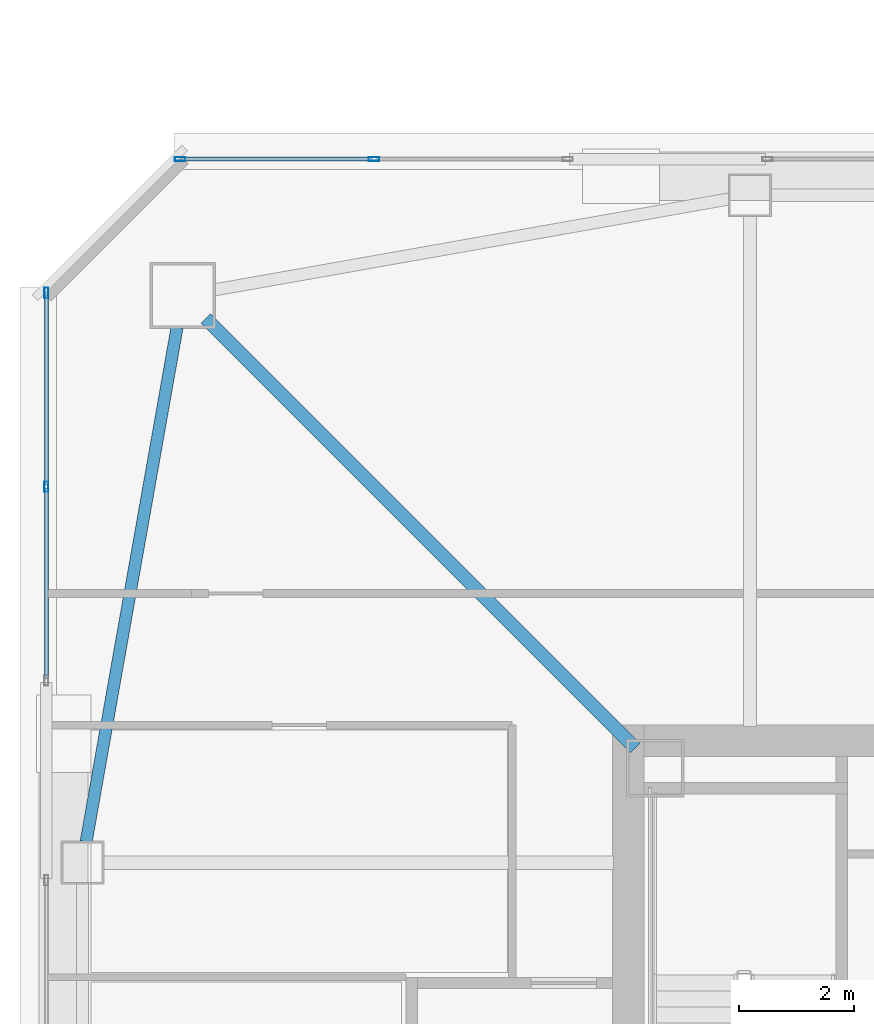
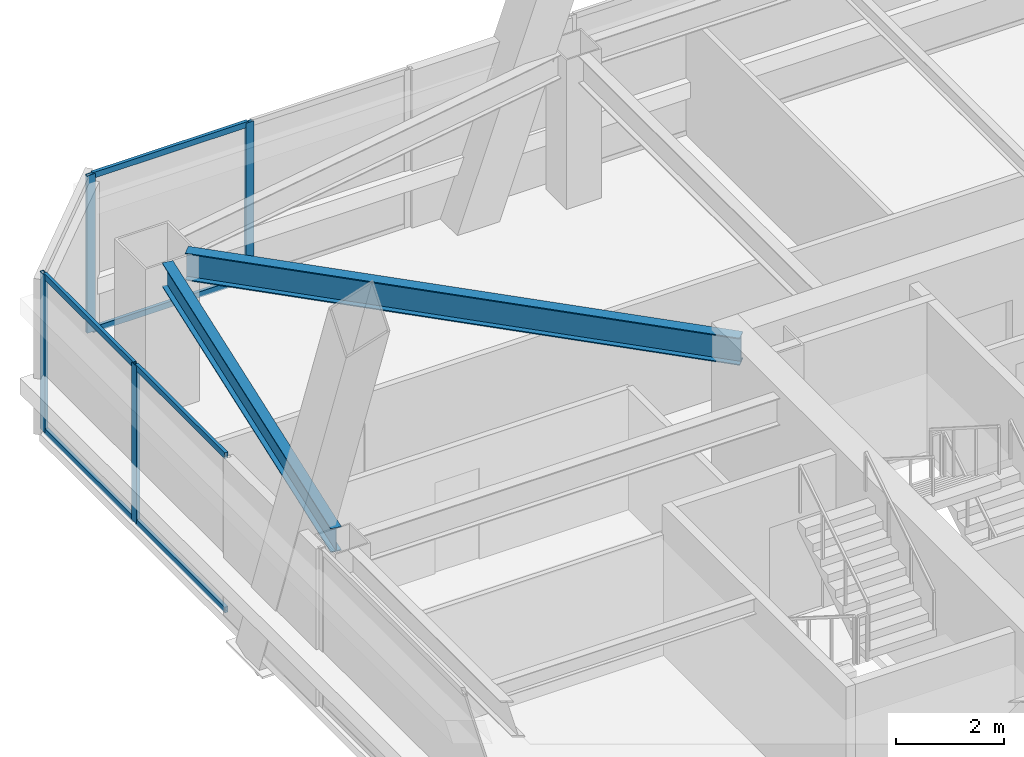
# One storey, part 16 of 55: 10 members, 2 beams, 2 elements without a shape of their own.
"""IFC4 building model written with IfcOpenShell, lengths in metres."""

from ifc_helpers import new_model, si_unit, direction, frame, origin, origin_2d, place, context, subcontext, project, spatial, hollow_rectangle, i_section, extrude, material, material_profile, profile_set, type_object, element, aggregate, save


model = new_model("IFC4")

# Units and contexts
model_context = context("Model", 3, precision=1e-05, world=origin(), true_north=direction((0.0, 1.0)))
body_context = subcontext(model_context, "Body", "Model", "MODEL_VIEW")
ifc_project = project(units=[si_unit("LENGTHUNIT", "METRE"), si_unit("AREAUNIT", "SQUARE_METRE"), si_unit("VOLUMEUNIT", "CUBIC_METRE"), si_unit("PLANEANGLEUNIT", "RADIAN"), si_unit("MASSUNIT", "GRAM", prefix="KILO")], contexts=[model_context])

# Site, building, storey
site_placement = place(None, origin())
site = spatial("IfcSite", under=ifc_project, at=site_placement, CompositionType="ELEMENT")
building_placement = place(site_placement, origin())
building = spatial("IfcBuilding", under=site, at=building_placement, Name="Tashvorn Skyway Center", CompositionType="ELEMENT")
storey_placement = place(building_placement, frame((0.0, 0.0, 178.300048828125)))
storey = spatial("IfcBuildingStorey", under=building, at=storey_placement, Name="L48", CompositionType="ELEMENT", Elevation=178.300048828125)

# Beams
ifc_material_1 = material(Name="Steel ASTM A992 Grade 50", Category="steel")
ifc_material_profile_1 = material_profile(ifc_material_1, i_section(OverallWidth=0.22998046875, OverallDepth=0.616943359375, WebThickness=0.01318359375, FlangeThickness=0.022216796875, at=origin_2d()), Name="W24X94")
ifc_profile_set_1 = profile_set([ifc_material_profile_1], Name="Steel ASTM A992 Grade 50")
beam_type_1 = type_object("IfcBeamType", Name="BM-BEAM-W24X94", PredefinedType="BEAM", material=ifc_profile_set_1)
beam_1_placement = place(storey_placement, frame((27.10302734375, 46.89697265625, 3.0615234375), z_axis=(0.707106781187, -0.707106781187, 0.0), x_axis=(0.707106781187, 0.707106781187, 0.0)))
element("IfcBeam", 1, at=beam_1_placement, inside=storey, type_object=beam_type_1, Name="Tower 1 L48 Primary Floor Girder MC-NW", PredefinedType="BEAM", context=body_context, shape_type="SweptSolid", body=[
    extrude(i_section(OverallWidth=0.22998046875, OverallDepth=0.616943359375, WebThickness=0.01318359375, FlangeThickness=0.022216796875, at=origin_2d()), origin(), (0.0, 0.0, 1.0), 10.6025390625),
])
ifc_material_profile_2 = material_profile(ifc_material_1, i_section(OverallWidth=0.2109375, OverallDepth=0.5390625, WebThickness=0.01171875, FlangeThickness=0.018798828125, at=origin_2d()), Name="W21X73")
ifc_profile_set_2 = profile_set([ifc_material_profile_2], Name="Steel ASTM A992 Grade 50")
beam_type_2 = type_object("IfcBeamType", Name="BM-SPANDREL-W21X73", PredefinedType="SPANDREL", material=ifc_profile_set_2)
beam_2_placement = place(storey_placement, frame((26.600830078125, 46.73876953125, 3.100341796875), z_axis=(-0.174074160933, -0.984732545667, 0.0), x_axis=(0.984732545667, -0.174074160933, 0.0)))
element("IfcBeam", 2, at=beam_2_placement, inside=storey, type_object=beam_type_2, Name="Tower 1 L48 Spandrel Beam 10", PredefinedType="SPANDREL", context=body_context, shape_type="SweptSolid", body=[
    extrude(i_section(OverallWidth=0.2109375, OverallDepth=0.5390625, WebThickness=0.01171875, FlangeThickness=0.018798828125, at=origin_2d()), origin(), (0.0, 0.0, 1.0), 9.113525390625),
])

# Curtain wall, members
ifc_material_2 = material(Name="Thermally broken bronze-anodized aluminium 6063-T6", Category="aluminium")
curtain_wall_type = type_object("IfcCurtainWallType", Name="CW-CW-Z4", PredefinedType="NOTDEFINED", material=ifc_material_2)
curtain_wall_1_placement = place(storey_placement, origin())
curtain_wall_1 = element("IfcCurtainWall", 3, at=curtain_wall_1_placement, inside=storey, type_object=curtain_wall_type, Name="Tower 1 L48 West Unitised Curtain Wall Glazing Group 3", PredefinedType="NOTDEFINED")
ifc_material_profile_3 = material_profile(ifc_material_2, hollow_rectangle(XDim=0.070068359375, YDim=0.179931640625, WallThickness=0.00390625, at=origin_2d()), Name="ALU-MULL-70x180")
ifc_profile_set_3 = profile_set([ifc_material_profile_3], Name="Thermally broken bronze-anodized aluminium 6063-T6")
member_type_1 = type_object("IfcMemberType", Name="CWM-CW-Z4", PredefinedType="MULLION", material=ifc_profile_set_3)
member_1_placement = place(storey_placement, frame((24.320068359375, 43.962158203125, 0.0), z_axis=(0.0, 0.0, 1.0), x_axis=(-1.0, 0.0, 0.0)))
member_1 = element("IfcMember", 4, at=member_1_placement, type_object=member_type_1, Name="CW-Z4 mullion 2", PredefinedType="MULLION", context=body_context, shape_type="SweptSolid", body=[
    extrude(hollow_rectangle(XDim=0.070068359375, YDim=0.179931640625, WallThickness=0.00390625, at=origin_2d()), origin(), (0.0, 0.0, 1.0), 3.550048828125),
])
member_2_placement = place(storey_placement, frame((24.320068359375, 47.344970703125, 0.0), z_axis=(0.0, 0.0, 1.0), x_axis=(-1.0, 0.0, 0.0)))
member_2 = element("IfcMember", 5, at=member_2_placement, type_object=member_type_1, Name="CW-Z4 mullion 3", PredefinedType="MULLION", context=body_context, shape_type="SweptSolid", body=[
    extrude(hollow_rectangle(XDim=0.070068359375, YDim=0.179931640625, WallThickness=0.00390625, at=origin_2d()), origin(), (0.0, 0.0, 1.0), 3.550048828125),
])

curtain_wall_2_placement = place(storey_placement, origin())
curtain_wall_2 = element("IfcCurtainWall", 6, at=curtain_wall_2_placement, inside=storey, type_object=curtain_wall_type, Name="Tower 1 L48 North Unitised Curtain Wall Glazing Group 1", PredefinedType="NOTDEFINED")
member_3_placement = place(storey_placement, frame((26.655029296875, 49.679931640625, 0.0), z_axis=(0.0, 0.0, 1.0), x_axis=(0.0, 1.0, 0.0)))
member_3 = element("IfcMember", 7, at=member_3_placement, type_object=member_type_1, Name="CW-Z4 mullion 1", PredefinedType="MULLION", context=body_context, shape_type="SweptSolid", body=[
    extrude(hollow_rectangle(XDim=0.070068359375, YDim=0.179931640625, WallThickness=0.00390625, at=origin_2d()), origin(), (0.0, 0.0, 1.0), 3.550048828125),
])
member_4_placement = place(storey_placement, frame((30.037841796875, 49.679931640625, 0.0), z_axis=(0.0, 0.0, 1.0), x_axis=(0.0, 1.0, 0.0)))
member_4 = element("IfcMember", 8, at=member_4_placement, type_object=member_type_1, Name="CW-Z4 mullion 2", PredefinedType="MULLION", context=body_context, shape_type="SweptSolid", body=[
    extrude(hollow_rectangle(XDim=0.070068359375, YDim=0.179931640625, WallThickness=0.00390625, at=origin_2d()), origin(), (0.0, 0.0, 1.0), 3.550048828125),
])

# Member
ifc_material_profile_4 = material_profile(ifc_material_2, hollow_rectangle(XDim=0.070068359375, YDim=0.1298828125, WallThickness=0.00390625, at=origin_2d()), Name="ALU-TRAN-70x130")
ifc_profile_set_4 = profile_set([ifc_material_profile_4], Name="Thermally broken bronze-anodized aluminium 6063-T6")
member_type_2 = type_object("IfcMemberType", Name="CWT-CW-Z4", PredefinedType="USERDEFINED", material=ifc_profile_set_4)
member_5_placement = place(storey_placement, frame((24.320068359375, 40.614501953125, 0.034912109375), z_axis=(0.0, 1.0, 0.0), x_axis=(-1.0, 0.0, 0.0)))
member_5 = element("IfcMember", 9, at=member_5_placement, type_object=member_type_2, Name="CW-Z4 transom 1.1", ObjectType="TRANSOM", PredefinedType="USERDEFINED", context=body_context, shape_type="SweptSolid", body=[
    extrude(hollow_rectangle(XDim=0.070068359375, YDim=0.1298828125, WallThickness=0.00390625, at=origin_2d()), origin(), (0.0, 0.0, 1.0), 3.312744140625),
])

member_6_placement = place(storey_placement, frame((24.320068359375, 40.614501953125, 3.514892578125), z_axis=(0.0, 1.0, 0.0), x_axis=(-1.0, 0.0, 0.0)))
member_6 = element("IfcMember", 10, at=member_6_placement, type_object=member_type_2, Name="CW-Z4 transom 1.2", ObjectType="TRANSOM", PredefinedType="USERDEFINED", context=body_context, shape_type="SweptSolid", body=[
    extrude(hollow_rectangle(XDim=0.070068359375, YDim=0.1298828125, WallThickness=0.00390625, at=origin_2d()), origin(), (0.0, 0.0, 1.0), 3.312744140625),
])

member_7_placement = place(storey_placement, frame((24.320068359375, 43.997314453125, 0.034912109375), z_axis=(0.0, 1.0, 0.0), x_axis=(-1.0, 0.0, 0.0)))
member_7 = element("IfcMember", 11, at=member_7_placement, type_object=member_type_2, Name="CW-Z4 transom 2.1", ObjectType="TRANSOM", PredefinedType="USERDEFINED", context=body_context, shape_type="SweptSolid", body=[
    extrude(hollow_rectangle(XDim=0.070068359375, YDim=0.1298828125, WallThickness=0.00390625, at=origin_2d()), origin(), (0.0, 0.0, 1.0), 3.312744140625),
])

member_8_placement = place(storey_placement, frame((24.320068359375, 43.997314453125, 3.514892578125), z_axis=(0.0, 1.0, 0.0), x_axis=(-1.0, 0.0, 0.0)))
member_8 = element("IfcMember", 12, at=member_8_placement, type_object=member_type_2, Name="CW-Z4 transom 2.2", ObjectType="TRANSOM", PredefinedType="USERDEFINED", context=body_context, shape_type="SweptSolid", body=[
    extrude(hollow_rectangle(XDim=0.070068359375, YDim=0.1298828125, WallThickness=0.00390625, at=origin_2d()), origin(), (0.0, 0.0, 1.0), 3.312744140625),
])

aggregate(curtain_wall_1, [member_1, member_2, member_5, member_6, member_7, member_8])

member_9_placement = place(storey_placement, frame((26.68994140625, 49.679931640625, 0.034912109375), z_axis=(1.0, 0.0, 0.0), x_axis=(0.0, 1.0, 0.0)))
member_9 = element("IfcMember", 13, at=member_9_placement, type_object=member_type_2, Name="CW-Z4 transom 1.1", ObjectType="TRANSOM", PredefinedType="USERDEFINED", context=body_context, shape_type="SweptSolid", body=[
    extrude(hollow_rectangle(XDim=0.070068359375, YDim=0.1298828125, WallThickness=0.00390625, at=origin_2d()), origin(), (0.0, 0.0, 1.0), 3.312744140625),
])

member_10_placement = place(storey_placement, frame((26.68994140625, 49.679931640625, 3.514892578125), z_axis=(1.0, 0.0, 0.0), x_axis=(0.0, 1.0, 0.0)))
member_10 = element("IfcMember", 14, at=member_10_placement, type_object=member_type_2, Name="CW-Z4 transom 1.2", ObjectType="TRANSOM", PredefinedType="USERDEFINED", context=body_context, shape_type="SweptSolid", body=[
    extrude(hollow_rectangle(XDim=0.070068359375, YDim=0.1298828125, WallThickness=0.00390625, at=origin_2d()), origin(), (0.0, 0.0, 1.0), 3.312744140625),
])

aggregate(curtain_wall_2, [member_3, member_4, member_9, member_10])

save(model, "model.ifc")
